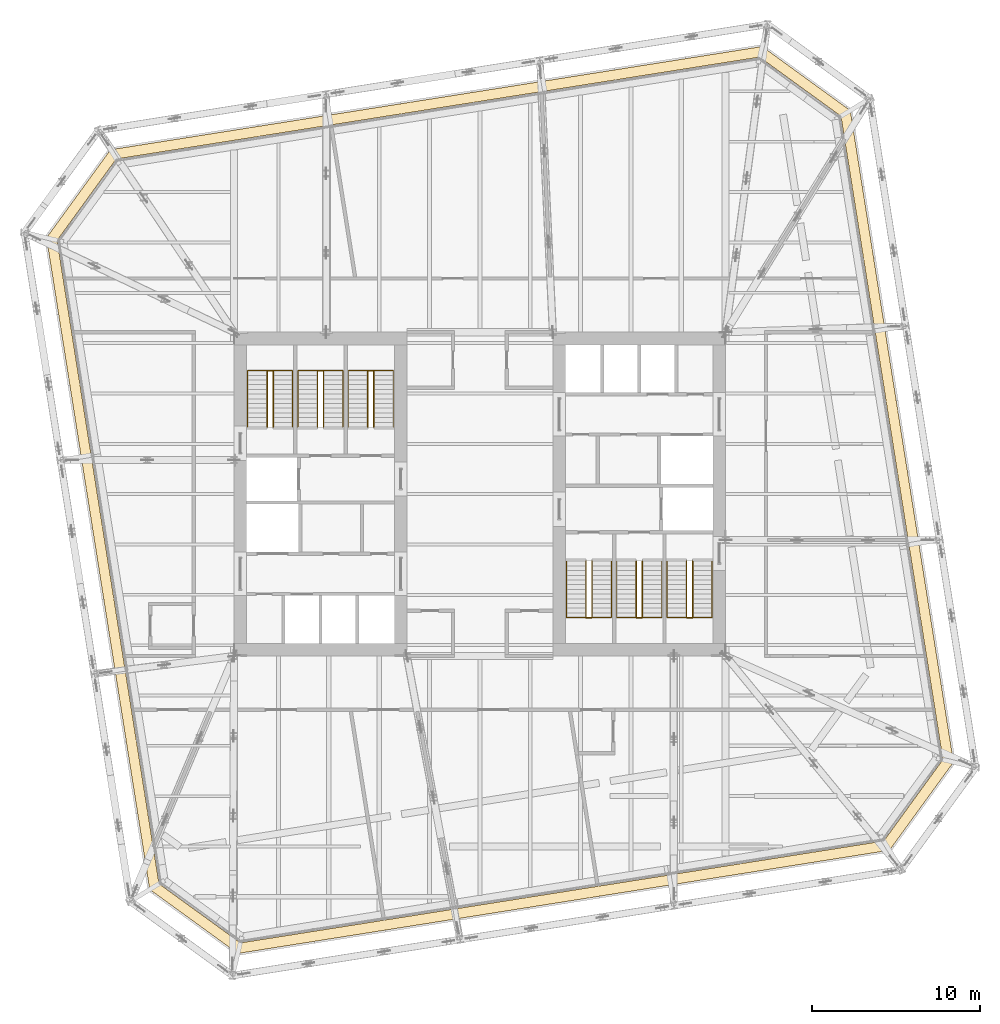
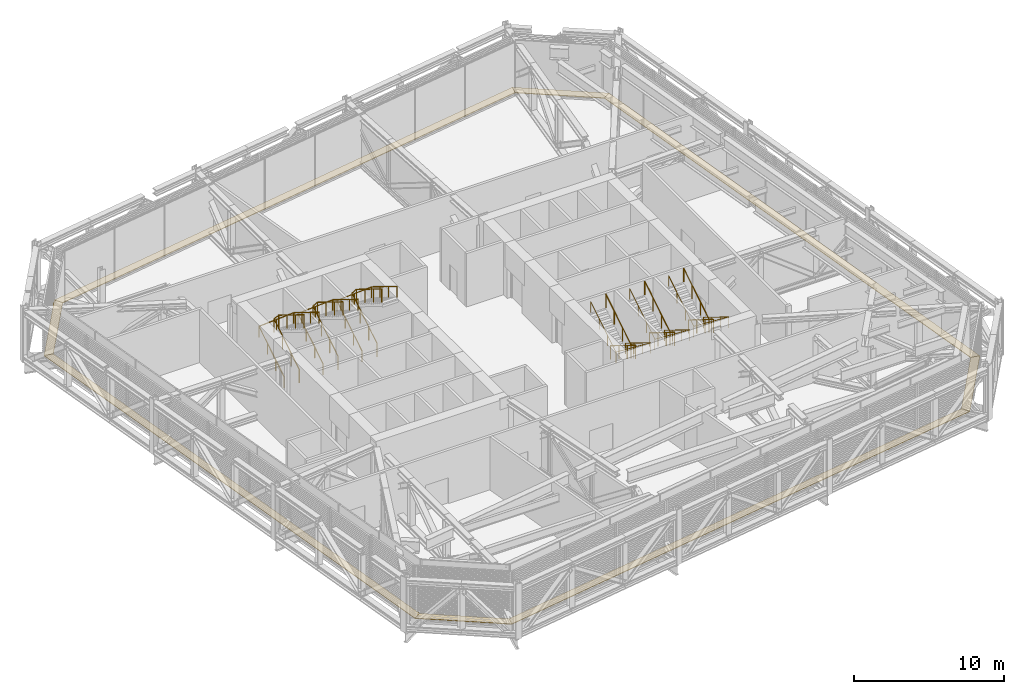
# One storey, part 31 of 31: 12 railings, 8 coverings.
"""IFC4 building model written with IfcOpenShell, lengths in metres."""

from ifc_helpers import new_model, si_unit, direction, frame, origin, origin_2d, place, context, subcontext, project, spatial, polyline, circle, outline, extrude, material, layer, layer_set, type_object, element, save


model = new_model("IFC4")

# Units and contexts
model_context = context("Model", 3, precision=1e-05, world=origin(), true_north=direction((0.0, 1.0)))
body_context = subcontext(model_context, "Body", "Model", "MODEL_VIEW")
ifc_project = project(units=[si_unit("LENGTHUNIT", "METRE"), si_unit("AREAUNIT", "SQUARE_METRE"), si_unit("VOLUMEUNIT", "CUBIC_METRE"), si_unit("PLANEANGLEUNIT", "RADIAN"), si_unit("MASSUNIT", "GRAM", prefix="KILO")], contexts=[model_context])

# Site, building, storey
site_placement = place(None, origin())
site = spatial("IfcSite", under=ifc_project, at=site_placement, CompositionType="ELEMENT")
building_placement = place(site_placement, origin())
building = spatial("IfcBuilding", under=site, at=building_placement, Name="Millrace Tower", CompositionType="ELEMENT")
storey_placement = place(building_placement, frame((0.0, 0.0, 195.60009765625)))
storey = spatial("IfcBuildingStorey", under=building, at=storey_placement, Name="L44", CompositionType="ELEMENT", Elevation=195.60009765625)

# Coverings
ifc_material_1 = material(Name="Steel ASTM A36", Category="steel")
ifc_layer = layer(ifc_material_1, 0.050048828125)
ifc_layer_set = layer_set([ifc_layer], Name="Steel ASTM A36")
covering_type = type_object("IfcCoveringType", Name="CAVITY CATWALK steel grating", PredefinedType="FLOORING", material=ifc_layer_set)
placement = place(storey_placement, frame((0.0, 0.0, 0.099853515625)))
element("IfcCovering", 1, at=placement, inside=storey, type_object=covering_type, Name="Cavity catwalk grating C-F01 L44 1", PredefinedType="FLOORING", context=body_context, shape_type="SweptSolid", body=[
    extrude(outline(polyline([(-19.67578125, -23.562255859375), (-14.425048828125, -27.376953125), (-14.2734375, -26.74560546875), (-19.1220703125, -23.222900390625), (-19.67578125, -23.562255859375)])), origin(), (0.0, 0.0, 1.0), 0.050048828125),
])
element("IfcCovering", 2, at=placement, inside=storey, type_object=covering_type, Name="Cavity catwalk grating C-F02 L44 1", PredefinedType="FLOORING", context=body_context, shape_type="SweptSolid", body=[
    extrude(outline(polyline([(-14.425048828125, -27.376953125), (24.412109375, -21.225830078125), (24.07275390625, -20.672119140625), (-14.2734375, -26.74560546875), (-14.425048828125, -27.376953125)])), origin(), (0.0, 0.0, 1.0), 0.050048828125),
])
element("IfcCovering", 3, at=placement, inside=storey, type_object=covering_type, Name="Cavity catwalk grating C-F03 L44 1", PredefinedType="FLOORING", context=body_context, shape_type="SweptSolid", body=[
    extrude(outline(polyline([(24.412109375, -21.225830078125), (28.22705078125, -15.97509765625), (27.595458984375, -15.823486328125), (24.07275390625, -20.672119140625), (24.412109375, -21.225830078125)])), origin(), (0.0, 0.0, 1.0), 0.050048828125),
])
element("IfcCovering", 4, at=placement, inside=storey, type_object=covering_type, Name="Cavity catwalk grating C-F04 L44 1", PredefinedType="FLOORING", context=body_context, shape_type="SweptSolid", body=[
    extrude(outline(polyline([(28.22705078125, -15.97509765625), (22.075927734375, 22.862060546875), (21.522216796875, 22.522705078125), (27.595458984375, -15.823486328125), (28.22705078125, -15.97509765625)])), origin(), (0.0, 0.0, 1.0), 0.050048828125),
])
element("IfcCovering", 5, at=placement, inside=storey, type_object=covering_type, Name="Cavity catwalk grating C-F05 L44 1", PredefinedType="FLOORING", context=body_context, shape_type="SweptSolid", body=[
    extrude(outline(polyline([(22.075927734375, 22.862060546875), (16.824951171875, 26.677001953125), (16.67333984375, 26.045654296875), (21.522216796875, 22.522705078125), (22.075927734375, 22.862060546875)])), origin(), (0.0, 0.0, 1.0), 0.050048828125),
])
element("IfcCovering", 6, at=placement, inside=storey, type_object=covering_type, Name="Cavity catwalk grating C-F06 L44 1", PredefinedType="FLOORING", context=body_context, shape_type="SweptSolid", body=[
    extrude(outline(polyline([(16.824951171875, 26.677001953125), (-22.01220703125, 20.52587890625), (-21.6728515625, 19.97216796875), (16.67333984375, 26.045654296875), (16.824951171875, 26.677001953125)])), origin(), (0.0, 0.0, 1.0), 0.050048828125),
])
element("IfcCovering", 7, at=placement, inside=storey, type_object=covering_type, Name="Cavity catwalk grating C-F07 L44 1", PredefinedType="FLOORING", context=body_context, shape_type="SweptSolid", body=[
    extrude(outline(polyline([(-22.01220703125, 20.52587890625), (-25.8271484375, 15.275146484375), (-25.195556640625, 15.12353515625), (-21.6728515625, 19.97216796875), (-22.01220703125, 20.52587890625)])), origin(), (0.0, 0.0, 1.0), 0.050048828125),
])
element("IfcCovering", 8, at=placement, inside=storey, type_object=covering_type, Name="Cavity catwalk grating C-F08 L44 1", PredefinedType="FLOORING", context=body_context, shape_type="SweptSolid", body=[
    extrude(outline(polyline([(-25.8271484375, 15.275146484375), (-19.67578125, -23.562255859375), (-19.1220703125, -23.222900390625), (-25.195556640625, 15.12353515625), (-25.8271484375, 15.275146484375)])), origin(), (0.0, 0.0, 1.0), 0.050048828125),
])

# Railings
ifc_material_2 = material(Name="Stainless steel ASTM A240 type 316", Category="steel")
railing_type_1 = type_object("IfcRailingType", Name="Stair guard 1100", PredefinedType="GUARDRAIL", material=ifc_material_2)
for number, where, name in (
    (9, (-12.679931640625, 4.0, 0.173095703125), "Stair guard 1 W L44"),
    (10, (-9.679931640625, 4.0, 0.173095703125), "Stair guard 2 W L44"),
    (11, (-6.679931640625, 4.0, 0.173095703125), "Stair guard 3 W L44"),
):
    element("IfcRailing", number, at=place(storey_placement, frame(where)), inside=storey, type_object=railing_type_1, Name=name, PredefinedType="GUARDRAIL", context=body_context, shape_type="SweptSolid", body=[
        extrude(circle(Radius=0.02392578125, at=origin_2d()), frame((0.0, 0.0, 1.076171875), z_axis=(0.0, 0.850623216509, 0.525775754039), x_axis=(-1.0, 0.0, 0.0)), (0.0, 0.0, 1.0), 3.9501953125),
        extrude(circle(Radius=0.02392578125, at=origin_2d()), frame((0.0, 3.360107421875, 3.15283203125), z_axis=(0.901169764794, 0.0, 0.433466325128), x_axis=(0.0, 1.0, 0.0)), (0.0, 0.0, 1.0), 0.3994140625),
        extrude(circle(Radius=0.02392578125, at=origin_2d()), frame((0.35986328125, 3.360107421875, 3.326171875), z_axis=(0.0, -0.850623216509, 0.525775754039), x_axis=(1.0, 0.0, 0.0)), (0.0, 0.0, 1.0), 3.9501953125),
        extrude(circle(Radius=0.02099609375, at=origin_2d()), origin(), (0.0, 0.0, 1.0), 1.052001953125),
        extrude(circle(Radius=0.02099609375, at=origin_2d()), frame((0.0, 1.1201171875, 0.6923828125)), (0.0, 0.0, 1.0), 1.052001953125),
        extrude(circle(Radius=0.02099609375, at=origin_2d()), frame((0.0, 2.239990234375, 1.384521484375)), (0.0, 0.0, 1.0), 1.052001953125),
        extrude(circle(Radius=0.02099609375, at=origin_2d()), frame((0.0, 3.360107421875, 2.076904296875)), (0.0, 0.0, 1.0), 1.052001953125),
        extrude(circle(Radius=0.02099609375, at=origin_2d()), frame((0.35986328125, 3.360107421875, 2.25)), (0.0, 0.0, 1.0), 1.052001953125),
        extrude(circle(Radius=0.02099609375, at=origin_2d()), frame((0.35986328125, 2.239990234375, 2.9423828125)), (0.0, 0.0, 1.0), 1.052001953125),
        extrude(circle(Radius=0.02099609375, at=origin_2d()), frame((0.35986328125, 1.1201171875, 3.634521484375)), (0.0, 0.0, 1.0), 1.052001953125),
        extrude(circle(Radius=0.02099609375, at=origin_2d()), frame((0.35986328125, 0.0, 4.326904296875)), (0.0, 0.0, 1.0), 1.052001953125),
    ])
for number, where, name in (
    (12, (12.679931640625, -4.0, 0.173095703125), "Stair guard 1 E L44"),
    (13, (9.679931640625, -4.0, 0.173095703125), "Stair guard 2 E L44"),
    (14, (6.679931640625, -4.0, 0.173095703125), "Stair guard 3 E L44"),
):
    element("IfcRailing", number, at=place(storey_placement, frame(where)), inside=storey, type_object=railing_type_1, Name=name, PredefinedType="GUARDRAIL", context=body_context, shape_type="SweptSolid", body=[
        extrude(circle(Radius=0.02392578125, at=origin_2d()), frame((0.0, 0.0, 1.076171875), z_axis=(0.0, -0.850623216509, 0.525775754039), x_axis=(1.0, 0.0, 0.0)), (0.0, 0.0, 1.0), 3.9501953125),
        extrude(circle(Radius=0.02392578125, at=origin_2d()), frame((0.0, -3.360107421875, 3.15283203125), z_axis=(-0.901169764794, 0.0, 0.433466325128), x_axis=(0.0, -1.0, 0.0)), (0.0, 0.0, 1.0), 0.3994140625),
        extrude(circle(Radius=0.02392578125, at=origin_2d()), frame((-0.35986328125, -3.360107421875, 3.326171875), z_axis=(0.0, 0.850623216509, 0.525775754039), x_axis=(-1.0, 0.0, 0.0)), (0.0, 0.0, 1.0), 3.9501953125),
        extrude(circle(Radius=0.02099609375, at=origin_2d()), origin(), (0.0, 0.0, 1.0), 1.052001953125),
        extrude(circle(Radius=0.02099609375, at=origin_2d()), frame((0.0, -1.1201171875, 0.6923828125)), (0.0, 0.0, 1.0), 1.052001953125),
        extrude(circle(Radius=0.02099609375, at=origin_2d()), frame((0.0, -2.239990234375, 1.384521484375)), (0.0, 0.0, 1.0), 1.052001953125),
        extrude(circle(Radius=0.02099609375, at=origin_2d()), frame((0.0, -3.360107421875, 2.076904296875)), (0.0, 0.0, 1.0), 1.052001953125),
        extrude(circle(Radius=0.02099609375, at=origin_2d()), frame((-0.35986328125, -3.360107421875, 2.25)), (0.0, 0.0, 1.0), 1.052001953125),
        extrude(circle(Radius=0.02099609375, at=origin_2d()), frame((-0.35986328125, -2.239990234375, 2.9423828125)), (0.0, 0.0, 1.0), 1.052001953125),
        extrude(circle(Radius=0.02099609375, at=origin_2d()), frame((-0.35986328125, -1.1201171875, 3.634521484375)), (0.0, 0.0, 1.0), 1.052001953125),
        extrude(circle(Radius=0.02099609375, at=origin_2d()), frame((-0.35986328125, 0.0, 4.326904296875)), (0.0, 0.0, 1.0), 1.052001953125),
    ])
ifc_material_3 = material(Name="Stainless steel ASTM A240 type 316", Category="steel")
railing_type_2 = type_object("IfcRailingType", Name="Stair handrail 900", PredefinedType="HANDRAIL", material=ifc_material_3)
railing_1_placement = place(storey_placement, frame((-13.840087890625, 4.0, 0.173095703125)))
element("IfcRailing", 15, at=railing_1_placement, inside=storey, type_object=railing_type_2, Name="Stair handrail 1 W L44", PredefinedType="HANDRAIL", context=body_context, shape_type="SweptSolid", body=[
    extrude(circle(Radius=0.02392578125, at=origin_2d()), frame((0.0, 0.0, 0.8759765625), z_axis=(0.0, 0.850623216509, 0.525775754039), x_axis=(-1.0, 0.0, 0.0)), (0.0, 0.0, 1.0), 3.9501953125),
    extrude(circle(Radius=0.02392578125, at=origin_2d()), frame((0.0, 3.360107421875, 2.95263671875), z_axis=(0.997920973561, 0.0, 0.064449441634), x_axis=(0.0, 1.0, 0.0)), (0.0, 0.0, 1.0), 2.685791015625),
    extrude(circle(Radius=0.02392578125, at=origin_2d()), frame((2.68017578125, 3.360107421875, 3.1259765625), z_axis=(0.0, -0.850623216509, 0.525775754039), x_axis=(1.0, 0.0, 0.0)), (0.0, 0.0, 1.0), 3.9501953125),
    extrude(circle(Radius=0.02099609375, at=origin_2d()), origin(), (0.0, 0.0, 1.0), 0.851806640625),
    extrude(circle(Radius=0.02099609375, at=origin_2d()), frame((0.0, 1.1201171875, 0.6923828125)), (0.0, 0.0, 1.0), 0.851806640625),
    extrude(circle(Radius=0.02099609375, at=origin_2d()), frame((0.0, 2.239990234375, 1.384521484375)), (0.0, 0.0, 1.0), 0.851806640625),
    extrude(circle(Radius=0.02099609375, at=origin_2d()), frame((0.0, 3.360107421875, 2.076904296875)), (0.0, 0.0, 1.0), 0.851806640625),
    extrude(circle(Radius=0.02099609375, at=origin_2d()), frame((1.340087890625, 3.360107421875, 2.16357421875)), (0.0, 0.0, 1.0), 0.851806640625),
    extrude(circle(Radius=0.02099609375, at=origin_2d()), frame((2.68017578125, 3.360107421875, 2.25)), (0.0, 0.0, 1.0), 0.851806640625),
    extrude(circle(Radius=0.02099609375, at=origin_2d()), frame((2.68017578125, 2.239990234375, 2.9423828125)), (0.0, 0.0, 1.0), 0.851806640625),
    extrude(circle(Radius=0.02099609375, at=origin_2d()), frame((2.68017578125, 1.1201171875, 3.634521484375)), (0.0, 0.0, 1.0), 0.851806640625),
    extrude(circle(Radius=0.02099609375, at=origin_2d()), frame((2.68017578125, 0.0, 4.326904296875)), (0.0, 0.0, 1.0), 0.851806640625),
])
railing_2_placement = place(storey_placement, frame((-10.840087890625, 4.0, 0.173095703125)))
element("IfcRailing", 16, at=railing_2_placement, inside=storey, type_object=railing_type_2, Name="Stair handrail 2 W L44", PredefinedType="HANDRAIL", context=body_context, shape_type="SweptSolid", body=[
    extrude(circle(Radius=0.02392578125, at=origin_2d()), frame((0.0, 0.0, 0.8759765625), z_axis=(0.0, 0.850623216509, 0.525775754039), x_axis=(-1.0, 0.0, 0.0)), (0.0, 0.0, 1.0), 3.9501953125),
    extrude(circle(Radius=0.02392578125, at=origin_2d()), frame((0.0, 3.360107421875, 2.95263671875), z_axis=(0.997920973561, 0.0, 0.064449441634), x_axis=(0.0, 1.0, 0.0)), (0.0, 0.0, 1.0), 2.685791015625),
    extrude(circle(Radius=0.02392578125, at=origin_2d()), frame((2.68017578125, 3.360107421875, 3.1259765625), z_axis=(0.0, -0.850623216509, 0.525775754039), x_axis=(1.0, 0.0, 0.0)), (0.0, 0.0, 1.0), 3.9501953125),
    extrude(circle(Radius=0.02099609375, at=origin_2d()), origin(), (0.0, 0.0, 1.0), 0.851806640625),
    extrude(circle(Radius=0.02099609375, at=origin_2d()), frame((0.0, 1.1201171875, 0.6923828125)), (0.0, 0.0, 1.0), 0.851806640625),
    extrude(circle(Radius=0.02099609375, at=origin_2d()), frame((0.0, 2.239990234375, 1.384521484375)), (0.0, 0.0, 1.0), 0.851806640625),
    extrude(circle(Radius=0.02099609375, at=origin_2d()), frame((0.0, 3.360107421875, 2.076904296875)), (0.0, 0.0, 1.0), 0.851806640625),
    extrude(circle(Radius=0.02099609375, at=origin_2d()), frame((1.340087890625, 3.360107421875, 2.16357421875)), (0.0, 0.0, 1.0), 0.851806640625),
    extrude(circle(Radius=0.02099609375, at=origin_2d()), frame((2.68017578125, 3.360107421875, 2.25)), (0.0, 0.0, 1.0), 0.851806640625),
    extrude(circle(Radius=0.02099609375, at=origin_2d()), frame((2.68017578125, 2.239990234375, 2.9423828125)), (0.0, 0.0, 1.0), 0.851806640625),
    extrude(circle(Radius=0.02099609375, at=origin_2d()), frame((2.68017578125, 1.1201171875, 3.634521484375)), (0.0, 0.0, 1.0), 0.851806640625),
    extrude(circle(Radius=0.02099609375, at=origin_2d()), frame((2.68017578125, 0.0, 4.326904296875)), (0.0, 0.0, 1.0), 0.851806640625),
])
railing_3_placement = place(storey_placement, frame((-7.840087890625, 4.0, 0.173095703125)))
element("IfcRailing", 17, at=railing_3_placement, inside=storey, type_object=railing_type_2, Name="Stair handrail 3 W L44", PredefinedType="HANDRAIL", context=body_context, shape_type="SweptSolid", body=[
    extrude(circle(Radius=0.02392578125, at=origin_2d()), frame((0.0, 0.0, 0.8759765625), z_axis=(0.0, 0.850623216509, 0.525775754039), x_axis=(-1.0, 0.0, 0.0)), (0.0, 0.0, 1.0), 3.9501953125),
    extrude(circle(Radius=0.02392578125, at=origin_2d()), frame((0.0, 3.360107421875, 2.95263671875), z_axis=(0.997920973561, 0.0, 0.064449441634), x_axis=(0.0, 1.0, 0.0)), (0.0, 0.0, 1.0), 2.685791015625),
    extrude(circle(Radius=0.02392578125, at=origin_2d()), frame((2.68017578125, 3.360107421875, 3.1259765625), z_axis=(0.0, -0.850623216509, 0.525775754039), x_axis=(1.0, 0.0, 0.0)), (0.0, 0.0, 1.0), 3.9501953125),
    extrude(circle(Radius=0.02099609375, at=origin_2d()), origin(), (0.0, 0.0, 1.0), 0.851806640625),
    extrude(circle(Radius=0.02099609375, at=origin_2d()), frame((0.0, 1.1201171875, 0.6923828125)), (0.0, 0.0, 1.0), 0.851806640625),
    extrude(circle(Radius=0.02099609375, at=origin_2d()), frame((0.0, 2.239990234375, 1.384521484375)), (0.0, 0.0, 1.0), 0.851806640625),
    extrude(circle(Radius=0.02099609375, at=origin_2d()), frame((0.0, 3.360107421875, 2.076904296875)), (0.0, 0.0, 1.0), 0.851806640625),
    extrude(circle(Radius=0.02099609375, at=origin_2d()), frame((1.340087890625, 3.360107421875, 2.16357421875)), (0.0, 0.0, 1.0), 0.851806640625),
    extrude(circle(Radius=0.02099609375, at=origin_2d()), frame((2.68017578125, 3.360107421875, 2.25)), (0.0, 0.0, 1.0), 0.851806640625),
    extrude(circle(Radius=0.02099609375, at=origin_2d()), frame((2.68017578125, 2.239990234375, 2.9423828125)), (0.0, 0.0, 1.0), 0.851806640625),
    extrude(circle(Radius=0.02099609375, at=origin_2d()), frame((2.68017578125, 1.1201171875, 3.634521484375)), (0.0, 0.0, 1.0), 0.851806640625),
    extrude(circle(Radius=0.02099609375, at=origin_2d()), frame((2.68017578125, 0.0, 4.326904296875)), (0.0, 0.0, 1.0), 0.851806640625),
])
railing_4_placement = place(storey_placement, frame((13.840087890625, -4.0, 0.173095703125)))
element("IfcRailing", 18, at=railing_4_placement, inside=storey, type_object=railing_type_2, Name="Stair handrail 1 E L44", PredefinedType="HANDRAIL", context=body_context, shape_type="SweptSolid", body=[
    extrude(circle(Radius=0.02392578125, at=origin_2d()), frame((0.0, 0.0, 0.8759765625), z_axis=(0.0, -0.850623216509, 0.525775754039), x_axis=(1.0, 0.0, 0.0)), (0.0, 0.0, 1.0), 3.9501953125),
    extrude(circle(Radius=0.02392578125, at=origin_2d()), frame((0.0, -3.360107421875, 2.95263671875), z_axis=(-0.997920973561, 0.0, 0.064449441634), x_axis=(0.0, -1.0, 0.0)), (0.0, 0.0, 1.0), 2.685791015625),
    extrude(circle(Radius=0.02392578125, at=origin_2d()), frame((-2.68017578125, -3.360107421875, 3.1259765625), z_axis=(0.0, 0.850623216509, 0.525775754039), x_axis=(-1.0, 0.0, 0.0)), (0.0, 0.0, 1.0), 3.9501953125),
    extrude(circle(Radius=0.02099609375, at=origin_2d()), origin(), (0.0, 0.0, 1.0), 0.851806640625),
    extrude(circle(Radius=0.02099609375, at=origin_2d()), frame((0.0, -1.1201171875, 0.6923828125)), (0.0, 0.0, 1.0), 0.851806640625),
    extrude(circle(Radius=0.02099609375, at=origin_2d()), frame((0.0, -2.239990234375, 1.384521484375)), (0.0, 0.0, 1.0), 0.851806640625),
    extrude(circle(Radius=0.02099609375, at=origin_2d()), frame((0.0, -3.360107421875, 2.076904296875)), (0.0, 0.0, 1.0), 0.851806640625),
    extrude(circle(Radius=0.02099609375, at=origin_2d()), frame((-1.340087890625, -3.360107421875, 2.16357421875)), (0.0, 0.0, 1.0), 0.851806640625),
    extrude(circle(Radius=0.02099609375, at=origin_2d()), frame((-2.68017578125, -3.360107421875, 2.25)), (0.0, 0.0, 1.0), 0.851806640625),
    extrude(circle(Radius=0.02099609375, at=origin_2d()), frame((-2.68017578125, -2.239990234375, 2.9423828125)), (0.0, 0.0, 1.0), 0.851806640625),
    extrude(circle(Radius=0.02099609375, at=origin_2d()), frame((-2.68017578125, -1.1201171875, 3.634521484375)), (0.0, 0.0, 1.0), 0.851806640625),
    extrude(circle(Radius=0.02099609375, at=origin_2d()), frame((-2.68017578125, 0.0, 4.326904296875)), (0.0, 0.0, 1.0), 0.851806640625),
])
railing_5_placement = place(storey_placement, frame((10.840087890625, -4.0, 0.173095703125)))
element("IfcRailing", 19, at=railing_5_placement, inside=storey, type_object=railing_type_2, Name="Stair handrail 2 E L44", PredefinedType="HANDRAIL", context=body_context, shape_type="SweptSolid", body=[
    extrude(circle(Radius=0.02392578125, at=origin_2d()), frame((0.0, 0.0, 0.8759765625), z_axis=(0.0, -0.850623216509, 0.525775754039), x_axis=(1.0, 0.0, 0.0)), (0.0, 0.0, 1.0), 3.9501953125),
    extrude(circle(Radius=0.02392578125, at=origin_2d()), frame((0.0, -3.360107421875, 2.95263671875), z_axis=(-0.997920973561, 0.0, 0.064449441634), x_axis=(0.0, -1.0, 0.0)), (0.0, 0.0, 1.0), 2.685791015625),
    extrude(circle(Radius=0.02392578125, at=origin_2d()), frame((-2.68017578125, -3.360107421875, 3.1259765625), z_axis=(0.0, 0.850623216509, 0.525775754039), x_axis=(-1.0, 0.0, 0.0)), (0.0, 0.0, 1.0), 3.9501953125),
    extrude(circle(Radius=0.02099609375, at=origin_2d()), origin(), (0.0, 0.0, 1.0), 0.851806640625),
    extrude(circle(Radius=0.02099609375, at=origin_2d()), frame((0.0, -1.1201171875, 0.6923828125)), (0.0, 0.0, 1.0), 0.851806640625),
    extrude(circle(Radius=0.02099609375, at=origin_2d()), frame((0.0, -2.239990234375, 1.384521484375)), (0.0, 0.0, 1.0), 0.851806640625),
    extrude(circle(Radius=0.02099609375, at=origin_2d()), frame((0.0, -3.360107421875, 2.076904296875)), (0.0, 0.0, 1.0), 0.851806640625),
    extrude(circle(Radius=0.02099609375, at=origin_2d()), frame((-1.340087890625, -3.360107421875, 2.16357421875)), (0.0, 0.0, 1.0), 0.851806640625),
    extrude(circle(Radius=0.02099609375, at=origin_2d()), frame((-2.68017578125, -3.360107421875, 2.25)), (0.0, 0.0, 1.0), 0.851806640625),
    extrude(circle(Radius=0.02099609375, at=origin_2d()), frame((-2.68017578125, -2.239990234375, 2.9423828125)), (0.0, 0.0, 1.0), 0.851806640625),
    extrude(circle(Radius=0.02099609375, at=origin_2d()), frame((-2.68017578125, -1.1201171875, 3.634521484375)), (0.0, 0.0, 1.0), 0.851806640625),
    extrude(circle(Radius=0.02099609375, at=origin_2d()), frame((-2.68017578125, 0.0, 4.326904296875)), (0.0, 0.0, 1.0), 0.851806640625),
])
railing_6_placement = place(storey_placement, frame((7.840087890625, -4.0, 0.173095703125)))
element("IfcRailing", 20, at=railing_6_placement, inside=storey, type_object=railing_type_2, Name="Stair handrail 3 E L44", PredefinedType="HANDRAIL", context=body_context, shape_type="SweptSolid", body=[
    extrude(circle(Radius=0.02392578125, at=origin_2d()), frame((0.0, 0.0, 0.8759765625), z_axis=(0.0, -0.850623216509, 0.525775754039), x_axis=(1.0, 0.0, 0.0)), (0.0, 0.0, 1.0), 3.9501953125),
    extrude(circle(Radius=0.02392578125, at=origin_2d()), frame((0.0, -3.360107421875, 2.95263671875), z_axis=(-0.997920973561, 0.0, 0.064449441634), x_axis=(0.0, -1.0, 0.0)), (0.0, 0.0, 1.0), 2.685791015625),
    extrude(circle(Radius=0.02392578125, at=origin_2d()), frame((-2.68017578125, -3.360107421875, 3.1259765625), z_axis=(0.0, 0.850623216509, 0.525775754039), x_axis=(-1.0, 0.0, 0.0)), (0.0, 0.0, 1.0), 3.9501953125),
    extrude(circle(Radius=0.02099609375, at=origin_2d()), origin(), (0.0, 0.0, 1.0), 0.851806640625),
    extrude(circle(Radius=0.02099609375, at=origin_2d()), frame((0.0, -1.1201171875, 0.6923828125)), (0.0, 0.0, 1.0), 0.851806640625),
    extrude(circle(Radius=0.02099609375, at=origin_2d()), frame((0.0, -2.239990234375, 1.384521484375)), (0.0, 0.0, 1.0), 0.851806640625),
    extrude(circle(Radius=0.02099609375, at=origin_2d()), frame((0.0, -3.360107421875, 2.076904296875)), (0.0, 0.0, 1.0), 0.851806640625),
    extrude(circle(Radius=0.02099609375, at=origin_2d()), frame((-1.340087890625, -3.360107421875, 2.16357421875)), (0.0, 0.0, 1.0), 0.851806640625),
    extrude(circle(Radius=0.02099609375, at=origin_2d()), frame((-2.68017578125, -3.360107421875, 2.25)), (0.0, 0.0, 1.0), 0.851806640625),
    extrude(circle(Radius=0.02099609375, at=origin_2d()), frame((-2.68017578125, -2.239990234375, 2.9423828125)), (0.0, 0.0, 1.0), 0.851806640625),
    extrude(circle(Radius=0.02099609375, at=origin_2d()), frame((-2.68017578125, -1.1201171875, 3.634521484375)), (0.0, 0.0, 1.0), 0.851806640625),
    extrude(circle(Radius=0.02099609375, at=origin_2d()), frame((-2.68017578125, 0.0, 4.326904296875)), (0.0, 0.0, 1.0), 0.851806640625),
])

save(model, "model.ifc")
